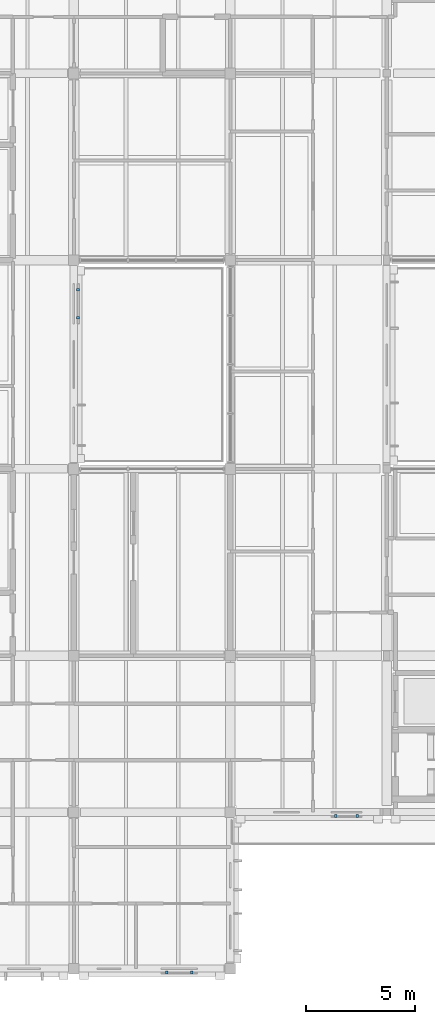
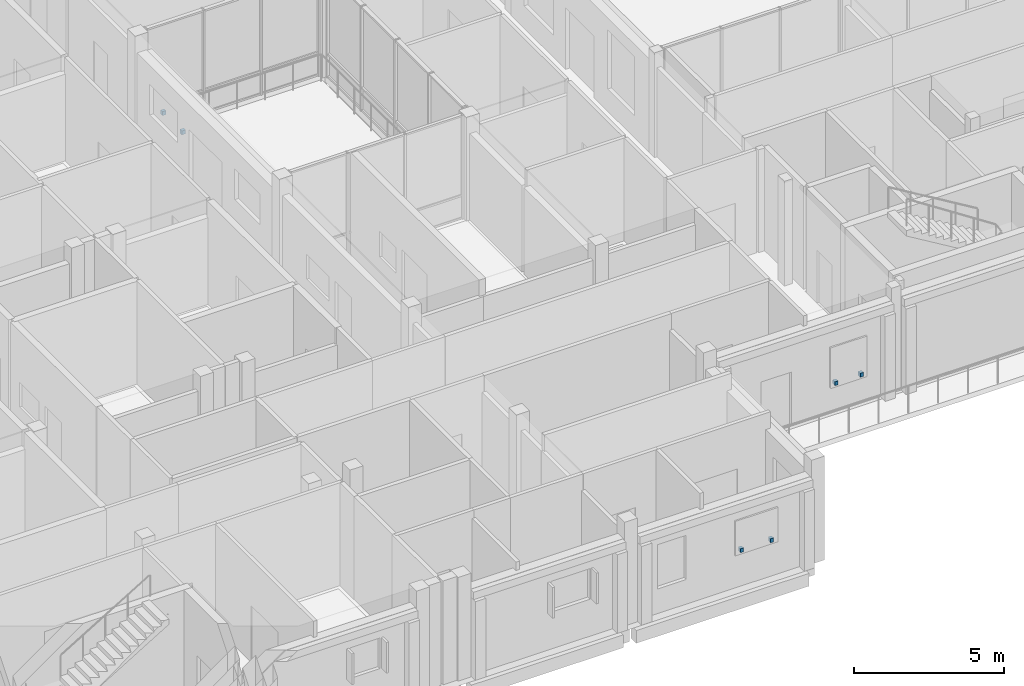
# One storey, part 130 of 146: 6 discrete accessories.
"""IFC4 building model written with IfcOpenShell, lengths in metres."""

from ifc_helpers import new_model, si_unit, direction, frame, origin, origin_2d, place, context, subcontext, project, spatial, rectangle, extrude, material, type_object, element, save


model = new_model("IFC4")

# Units and contexts
model_context = context("Model", 3, precision=1e-05, world=origin(), true_north=direction((0.0, 1.0)))
body_context = subcontext(model_context, "Body", "Model", "MODEL_VIEW")
ifc_project = project(units=[si_unit("LENGTHUNIT", "METRE"), si_unit("AREAUNIT", "SQUARE_METRE"), si_unit("VOLUMEUNIT", "CUBIC_METRE"), si_unit("PLANEANGLEUNIT", "RADIAN"), si_unit("MASSUNIT", "GRAM", prefix="KILO")], contexts=[model_context])

# Site, building, storey
site_placement = place(None, origin())
site = spatial("IfcSite", under=ifc_project, at=site_placement, CompositionType="ELEMENT")
building_placement = place(site_placement, origin())
building = spatial("IfcBuilding", under=site, at=building_placement, Name="Hawrajan Terrace Health Centre", CompositionType="ELEMENT")
storey_placement = place(building_placement, frame((0.0, 0.0, 4.5)))
storey = spatial("IfcBuildingStorey", under=building, at=storey_placement, Name="L01", CompositionType="ELEMENT", Elevation=4.5)

# Discrete accessories
ifc_material = material(Name="Steel S355", Category="steel")
discrete_accessory_type = type_object("IfcDiscreteAccessoryType", Name="FacadeBracket_S355", PredefinedType="BRACKET", material=ifc_material)
for number, where, z_axis, x_axis, name in (
    (1, (136.7900390625, 34.1474609375, 1.56982421875), (0.0, 0.0, 1.0), (0.0, 1.0, 0.0), "Roshan support bracket BRK-L01-110-1"),
    (2, (136.7900390625, 35.4423828125, 1.56982421875), (0.0, 0.0, 1.0), (0.0, 1.0, 0.0), "Roshan support bracket BRK-L01-110-2"),
    (3, (140.870361328125, 4.02001953125, 1.419921875), (0.0, 0.0, 1.0), (1.0, 0.0, 0.0), "Roshan support bracket BRK-L01-111-1"),
    (4, (142.025390625, 4.02001953125, 1.419921875), (0.0, 0.0, 1.0), (1.0, 0.0, 0.0), "Roshan support bracket BRK-L01-111-2"),
    (5, (148.659912109375, 11.219970703125, 1.1201171875), (0.0, 0.0, 1.0), (1.0, 0.0, 0.0), "Roshan support bracket BRK-L01-120-1"),
    (6, (149.639892578125, 11.219970703125, 1.1201171875), (0.0, 0.0, 1.0), (1.0, 0.0, 0.0), "Roshan support bracket BRK-L01-120-2"),
):
    element("IfcDiscreteAccessory", number, at=place(storey_placement, frame(where, z_axis=z_axis, x_axis=x_axis)), inside=storey, type_object=discrete_accessory_type, Name=name, PredefinedType="BRACKET", context=body_context, shape_type="SweptSolid", body=[
        extrude(rectangle(XDim=0.1201171875, YDim=0.139892578125, at=origin_2d()), origin(), (0.0, 0.0, 1.0), 0.159912109375),
    ])

save(model, "model.ifc")
